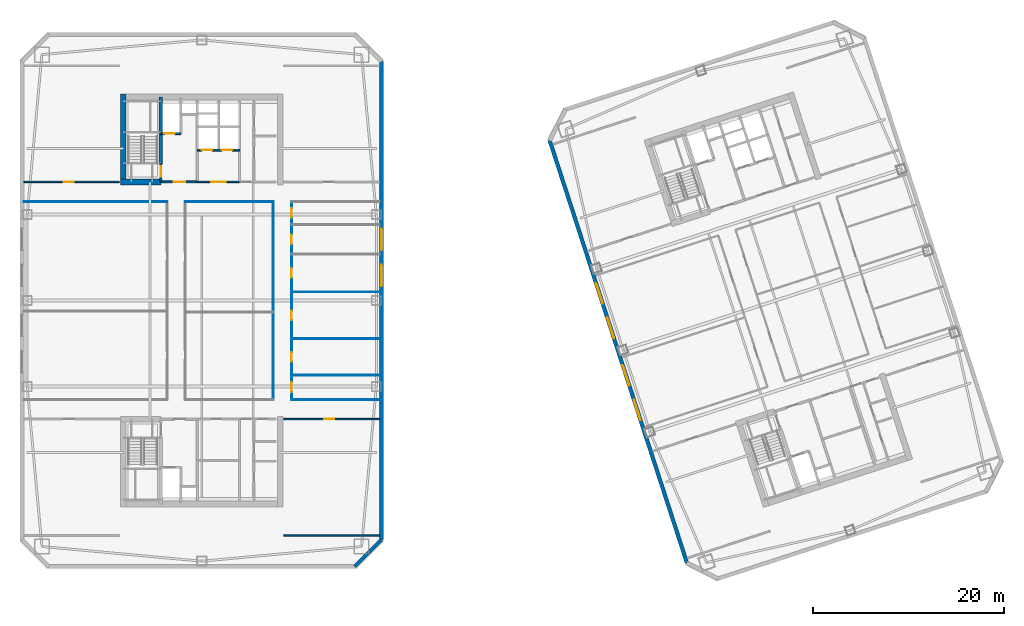
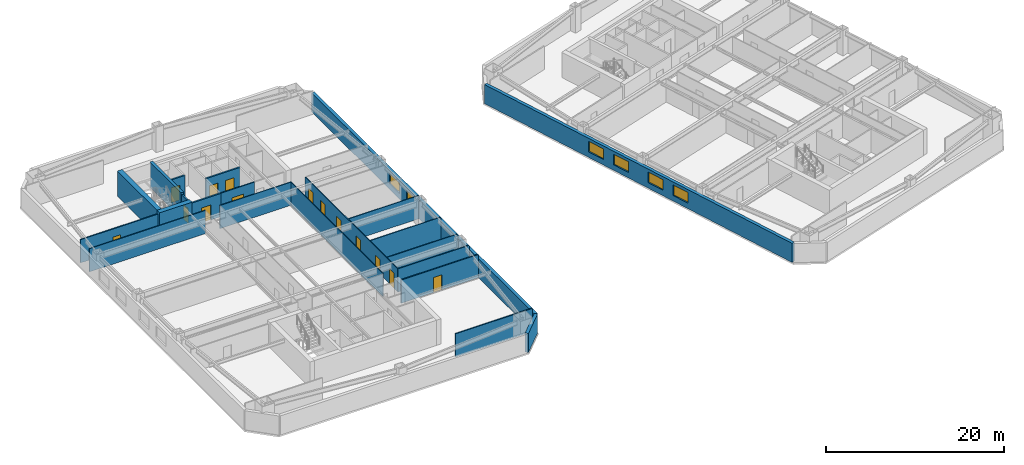
# One storey, part 4 of 10: 22 walls, 14 doors, 6 windows, 20 openings.
"""IFC4 building model written with IfcOpenShell, lengths in metres."""

from ifc_helpers import new_model, si_unit, direction, frame, frame_2d, origin, place, context, subcontext, project, spatial, rectangle, extrude, material, layer, layer_set, type_object, element, fill, save


model = new_model("IFC4")

# Units and contexts
model_context = context("Model", 3, precision=1e-05, world=origin(), true_north=direction((0.0, 1.0)))
body_context = subcontext(model_context, "Body", "Model", "MODEL_VIEW")
ifc_project = project(units=[si_unit("LENGTHUNIT", "METRE"), si_unit("AREAUNIT", "SQUARE_METRE"), si_unit("VOLUMEUNIT", "CUBIC_METRE"), si_unit("PLANEANGLEUNIT", "RADIAN"), si_unit("MASSUNIT", "GRAM", prefix="KILO")], contexts=[model_context])

# Site, building, storey
site_placement = place(None, origin())
site = spatial("IfcSite", under=ifc_project, at=site_placement, CompositionType="ELEMENT")
building_placement = place(site_placement, origin())
building = spatial("IfcBuilding", under=site, at=building_placement, Name="Qiaolan Cultural Towers", CompositionType="ELEMENT")
storey_placement = place(building_placement, frame((0.0, 0.0, 127.64990234375)))
storey = spatial("IfcBuildingStorey", under=building, at=storey_placement, Name="L33", CompositionType="ELEMENT", Elevation=127.64990234375)

# Walls
ifc_material_1 = material(Name="Concrete C50", Category="concrete")
ifc_layer_1 = layer(ifc_material_1, 0.35009765625)
ifc_layer_set_1 = layer_set([ifc_layer_1], Name="Concrete C50")
wall_type_1 = type_object("IfcWallType", Name="WL-CORE-350", PredefinedType="SHEAR", material=ifc_layer_set_1)
wall_1_placement = place(storey_placement, frame((25.719970703125, 48.300048828125, 0.0), z_axis=(0.0, 0.0, 1.0), x_axis=(0.0, 1.0, 0.0)))
element("IfcWall", 1, at=wall_1_placement, inside=storey, type_object=wall_type_1, Name="L33 T1-CN Stair Core Dividing Web", PredefinedType="SHEAR", context=body_context, shape_type="SweptSolid", body=[
    extrude(rectangle(XDim=6.97998046875, YDim=0.35009765625, at=frame_2d((3.489990234375, 0.0))), origin(), (0.0, 0.0, 1.0), 3.4501953125),
])
ifc_material_2 = material(Name="Concrete C55", Category="concrete")
ifc_layer_2 = layer(ifc_material_2, 0.60009765625)
ifc_layer_set_2 = layer_set([ifc_layer_2], Name="Concrete C55")
wall_type_2 = type_object("IfcWallType", Name="WL-CORE-600", PredefinedType="SHEAR", material=ifc_layer_set_2)
wall_2_placement = place(storey_placement, frame((21.800048828125, 46.10009765625, 0.0), z_axis=(0.0, 0.0, 1.0), x_axis=(0.0, 1.0, 0.0)))
element("IfcWall", 2, at=wall_2_placement, inside=storey, type_object=wall_type_2, Name="L33 T1-CN West Core Shear Wall", PredefinedType="SHEAR", context=body_context, shape_type="SweptSolid", body=[
    extrude(rectangle(XDim=9.47998046875, YDim=0.60009765625, at=frame_2d((4.739990234375, 0.0))), origin(), (0.0, 0.0, 1.0), 3.4501953125),
])
wall_3_placement = place(storey_placement, frame((21.5, 46.39990234375, 0.0), z_axis=(0.0, 0.0, 1.0), x_axis=(1.0, 0.0, 0.0)))
element("IfcWall", 3, at=wall_3_placement, inside=storey, type_object=wall_type_2, Name="L33 T1-CN Stair Front Shear Wall", PredefinedType="SHEAR", context=body_context, shape_type="SweptSolid", body=[
    extrude(rectangle(XDim=4.219970703125, YDim=0.60009765625, at=frame_2d((2.10986328125, 0.0))), origin(), (0.0, 0.0, 1.0), 3.4501953125),
])

# Wall, openings, windows
ifc_material_3 = material(Name="Precast Concrete C50 Honed Stone Pier", Category="masonry")
ifc_layer_3 = layer(ifc_material_3, 0.39990234375)
ifc_layer_set_3 = layer_set([ifc_layer_3], Name="Precast Concrete C50 Honed Stone Pier")
wall_type_3 = type_object("IfcWallType", Name="WL-EXT-PIER-400", PredefinedType="SOLIDWALL", material=ifc_layer_set_3)
wall_4_placement = place(storey_placement, frame((48.800048828125, 59.0, 0.0), z_axis=(0.0, 0.0, 1.0), x_axis=(0.0, -1.0, 0.0)))
wall_4 = element("IfcWall", 4, at=wall_4_placement, inside=storey, type_object=wall_type_3, Name="L33 West Tower Precast Pier Facade Wall F5", PredefinedType="SOLIDWALL", context=body_context, shape_type="SweptSolid", body=[
    extrude(rectangle(XDim=50.0, YDim=0.39990234375, at=frame_2d((25.0, 0.0))), origin(), (0.0, 0.0, 1.0), 2.610107421875),
])
opening_1_placement = place(wall_4_placement, frame((21.27490234375, 0.0, 0.75)))
opening_1 = element("IfcOpeningElement", 5, at=opening_1_placement, cuts=wall_4, Name="Opening W-03", PredefinedType="OPENING", context=body_context, shape_type="SweptSolid", body=[
    extrude(rectangle(XDim=2.25, YDim=1.4599609375, at=frame_2d((1.125, 0.72998046875))), frame((0.0, 0.2099609375, 0.0), z_axis=(0.0, -1.0, 0.0), x_axis=(1.0, 0.0, 0.0)), (0.0, 0.0, 1.0), 0.419921875),
])
opening_2_placement = place(wall_4_placement, frame((17.47509765625, 0.0, 0.75)))
opening_2 = element("IfcOpeningElement", 6, at=opening_2_placement, cuts=wall_4, Name="Opening W-03", PredefinedType="OPENING", context=body_context, shape_type="SweptSolid", body=[
    extrude(rectangle(XDim=2.25, YDim=1.4599609375, at=frame_2d((1.125, 0.72998046875))), frame((0.0, 0.2099609375, 0.0), z_axis=(0.0, -1.0, 0.0), x_axis=(1.0, 0.0, 0.0)), (0.0, 0.0, 1.0), 0.419921875),
])
ifc_material_4 = material(Name="Thermally Broken Aluminium Triple Low-E Glazing", Category="aluminium")
window_type = type_object("IfcWindowType", Name="WN-CHIC-2250", PartitioningType="SINGLE_PANEL", PredefinedType="WINDOW", material=ifc_material_4)
window_1_placement = place(opening_1_placement, origin())
window_1 = element("IfcWindow", 7, at=window_1_placement, inside=storey, type_object=window_type, Name="L33 T1 E Chicago Bay Window 1", OverallHeight=1.4599609375, OverallWidth=2.25, PartitioningType="TRIPLE_PANEL_VERTICAL", PredefinedType="WINDOW", context=body_context, shape_type="SweptSolid", body=[
    extrude(rectangle(XDim=2.25, YDim=1.4599609375, at=frame_2d((1.125, 0.72998046875))), frame((0.0, 0.030029296875, 0.0), z_axis=(0.0, -1.0, 0.0), x_axis=(1.0, 0.0, 0.0)), (0.0, 0.0, 1.0), 0.06005859375),
])
fill(opening_1, window_1)
window_2_placement = place(opening_2_placement, origin())
window_2 = element("IfcWindow", 8, at=window_2_placement, inside=storey, type_object=window_type, Name="L33 T1 E Chicago Bay Window 2", OverallHeight=1.4599609375, OverallWidth=2.25, PartitioningType="TRIPLE_PANEL_VERTICAL", PredefinedType="WINDOW", context=body_context, shape_type="SweptSolid", body=[
    extrude(rectangle(XDim=2.25, YDim=1.4599609375, at=frame_2d((1.125, 0.72998046875))), frame((0.0, 0.030029296875, 0.0), z_axis=(0.0, -1.0, 0.0), x_axis=(1.0, 0.0, 0.0)), (0.0, 0.0, 1.0), 0.06005859375),
])
fill(opening_2, window_2)

# Wall
wall_5_placement = place(storey_placement, frame((48.800048828125, 9.0, 0.0), z_axis=(0.0, 0.0, 1.0), x_axis=(-0.707106781187, -0.707106781187, 0.0)))
element("IfcWall", 9, at=wall_5_placement, inside=storey, type_object=wall_type_3, Name="L33 West Tower Precast Pier Facade Wall F6", PredefinedType="SOLIDWALL", context=body_context, shape_type="SweptSolid", body=[
    extrude(rectangle(XDim=3.9599609375, YDim=0.39990234375, at=frame_2d((1.97998046875, 0.0))), origin(), (0.0, 0.0, 1.0), 2.610107421875),
])

# Wall, openings, windows
wall_6_placement = place(storey_placement, frame((80.7158203125, 6.589599609375, 0.0), z_axis=(0.0, 0.0, 1.0), x_axis=(-0.309017542002, 0.95105633836, 0.0)))
wall_6 = element("IfcWall", 10, at=wall_6_placement, inside=storey, type_object=wall_type_3, Name="L33 East Tower Precast Pier Facade Wall F1", PredefinedType="SOLIDWALL", context=body_context, shape_type="SweptSolid", body=[
    extrude(rectangle(XDim=46.39990234375, YDim=0.39990234375, at=frame_2d((23.199951171875, 0.0))), origin(), (0.0, 0.0, 1.0), 2.610107421875),
])
opening_3_placement = place(wall_6_placement, frame((15.675048828125, 0.0, 0.75)))
opening_3 = element("IfcOpeningElement", 11, at=opening_3_placement, cuts=wall_6, Name="Opening W-03", PredefinedType="OPENING", context=body_context, shape_type="SweptSolid", body=[
    extrude(rectangle(XDim=2.25, YDim=1.4599609375, at=frame_2d((1.125, 0.72998046875))), frame((0.0, 0.2099609375, 0.0), z_axis=(0.0, -1.0, 0.0), x_axis=(1.0, 0.0, 0.0)), (0.0, 0.0, 1.0), 0.419921875),
])
opening_4_placement = place(wall_6_placement, frame((19.47509765625, 0.0, 0.75)))
opening_4 = element("IfcOpeningElement", 12, at=opening_4_placement, cuts=wall_6, Name="Opening W-03", PredefinedType="OPENING", context=body_context, shape_type="SweptSolid", body=[
    extrude(rectangle(XDim=2.25, YDim=1.4599609375, at=frame_2d((1.125, 0.72998046875))), frame((0.0, 0.2099609375, 0.0), z_axis=(0.0, -1.0, 0.0), x_axis=(1.0, 0.0, 0.0)), (0.0, 0.0, 1.0), 0.419921875),
])
opening_5_placement = place(wall_6_placement, frame((24.675048828125, 0.0, 0.75)))
opening_5 = element("IfcOpeningElement", 13, at=opening_5_placement, cuts=wall_6, Name="Opening W-03", PredefinedType="OPENING", context=body_context, shape_type="SweptSolid", body=[
    extrude(rectangle(XDim=2.25, YDim=1.4599609375, at=frame_2d((1.125, 0.72998046875))), frame((0.0, 0.2099609375, 0.0), z_axis=(0.0, -1.0, 0.0), x_axis=(1.0, 0.0, 0.0)), (0.0, 0.0, 1.0), 0.419921875),
])
opening_6_placement = place(wall_6_placement, frame((28.47509765625, 0.0, 0.75)))
opening_6 = element("IfcOpeningElement", 14, at=opening_6_placement, cuts=wall_6, Name="Opening W-03", PredefinedType="OPENING", context=body_context, shape_type="SweptSolid", body=[
    extrude(rectangle(XDim=2.25, YDim=1.4599609375, at=frame_2d((1.125, 0.72998046875))), frame((0.0, 0.2099609375, 0.0), z_axis=(0.0, -1.0, 0.0), x_axis=(1.0, 0.0, 0.0)), (0.0, 0.0, 1.0), 0.419921875),
])
window_3_placement = place(opening_3_placement, origin())
window_3 = element("IfcWindow", 15, at=window_3_placement, inside=storey, type_object=window_type, Name="L33 T2 W Chicago Bay Window 1", OverallHeight=1.4599609375, OverallWidth=2.25, PartitioningType="TRIPLE_PANEL_VERTICAL", PredefinedType="WINDOW", context=body_context, shape_type="SweptSolid", body=[
    extrude(rectangle(XDim=2.25, YDim=1.4599609375, at=frame_2d((1.125, 0.72998046875))), frame((0.0, 0.030029296875, 0.0), z_axis=(0.0, -1.0, 0.0), x_axis=(1.0, 0.0, 0.0)), (0.0, 0.0, 1.0), 0.06005859375),
])
fill(opening_3, window_3)
window_4_placement = place(opening_4_placement, origin())
window_4 = element("IfcWindow", 16, at=window_4_placement, inside=storey, type_object=window_type, Name="L33 T2 W Chicago Bay Window 2", OverallHeight=1.4599609375, OverallWidth=2.25, PartitioningType="TRIPLE_PANEL_VERTICAL", PredefinedType="WINDOW", context=body_context, shape_type="SweptSolid", body=[
    extrude(rectangle(XDim=2.25, YDim=1.4599609375, at=frame_2d((1.125, 0.72998046875))), frame((0.0, 0.030029296875, 0.0), z_axis=(0.0, -1.0, 0.0), x_axis=(1.0, 0.0, 0.0)), (0.0, 0.0, 1.0), 0.06005859375),
])
fill(opening_4, window_4)
window_5_placement = place(opening_5_placement, origin())
window_5 = element("IfcWindow", 17, at=window_5_placement, inside=storey, type_object=window_type, Name="L33 T2 W Chicago Bay Window 3", OverallHeight=1.4599609375, OverallWidth=2.25, PartitioningType="TRIPLE_PANEL_VERTICAL", PredefinedType="WINDOW", context=body_context, shape_type="SweptSolid", body=[
    extrude(rectangle(XDim=2.25, YDim=1.4599609375, at=frame_2d((1.125, 0.72998046875))), frame((0.0, 0.030029296875, 0.0), z_axis=(0.0, -1.0, 0.0), x_axis=(1.0, 0.0, 0.0)), (0.0, 0.0, 1.0), 0.06005859375),
])
fill(opening_5, window_5)
window_6_placement = place(opening_6_placement, origin())
window_6 = element("IfcWindow", 18, at=window_6_placement, inside=storey, type_object=window_type, Name="L33 T2 W Chicago Bay Window 4", OverallHeight=1.4599609375, OverallWidth=2.25, PartitioningType="TRIPLE_PANEL_VERTICAL", PredefinedType="WINDOW", context=body_context, shape_type="SweptSolid", body=[
    extrude(rectangle(XDim=2.25, YDim=1.4599609375, at=frame_2d((1.125, 0.72998046875))), frame((0.0, 0.030029296875, 0.0), z_axis=(0.0, -1.0, 0.0), x_axis=(1.0, 0.0, 0.0)), (0.0, 0.0, 1.0), 0.06005859375),
])
fill(opening_6, window_6)

# Wall, opening, door
ifc_material_5 = material(Name="Concrete C35 Fire Wall", Category="concrete")
ifc_layer_4 = layer(ifc_material_5, 0.199951171875)
ifc_layer_set_4 = layer_set([ifc_layer_4], Name="Concrete C35 Fire Wall")
wall_type_4 = type_object("IfcWallType", Name="WL-FIRE-200", PredefinedType="PARTITIONING", material=ifc_layer_set_4)
wall_7_placement = place(storey_placement, frame((25.719970703125, 46.39990234375, 0.0), z_axis=(0.0, 0.0, 1.0), x_axis=(0.0, 1.0, 0.0)))
wall_7 = element("IfcWall", 19, at=wall_7_placement, inside=storey, type_object=wall_type_4, Name="L33 T1-CN Smokeproof Stair Entry Wall", PredefinedType="PARTITIONING", context=body_context, shape_type="SweptSolid", body=[
    extrude(rectangle(XDim=1.900146484375, YDim=0.199951171875, at=frame_2d((0.9501953125, 0.0))), origin(), (0.0, 0.0, 1.0), 3.175048828125),
])
opening_7_placement = place(wall_7_placement, frame((0.52001953125, 0.0, 0.0)))
opening_7 = element("IfcOpeningElement", 20, at=opening_7_placement, cuts=wall_7, Name="Opening FD-04", PredefinedType="OPENING", context=body_context, shape_type="SweptSolid", body=[
    extrude(rectangle(XDim=1.10009765625, YDim=2.050048828125, at=frame_2d((0.550048828125, 1.02490234375))), frame((0.0, 0.10986328125, 0.0), z_axis=(0.0, -1.0, 0.0), x_axis=(1.0, 0.0, 0.0)), (0.0, 0.0, 1.0), 0.219970703125),
])
ifc_material_6 = material(Name="Galvanized Steel Command Fire Door", Category="steel")
door_type_1 = type_object("IfcDoorType", Name="DR-FD90-1100", OperationType="NOTDEFINED", PredefinedType="DOOR", material=ifc_material_6)
door_1_placement = place(opening_7_placement, origin())
door_1 = element("IfcDoor", 21, at=door_1_placement, inside=storey, type_object=door_type_1, Name="L33 ST-W2 Smokeproof Stair Fire Door", OperationType="SINGLE_SWING_LEFT", OverallHeight=2.050048828125, OverallWidth=1.10009765625, PredefinedType="DOOR", context=body_context, shape_type="SweptSolid", body=[
    extrude(rectangle(XDim=1.10009765625, YDim=2.050048828125, at=frame_2d((0.550048828125, 1.02490234375))), frame((0.0, 0.02490234375, 0.0), z_axis=(0.0, -1.0, 0.0), x_axis=(1.0, 0.0, 0.0)), (0.0, 0.0, 1.0), 0.050048828125),
])
fill(opening_7, door_1)

wall_8_placement = place(storey_placement, frame((25.719970703125, 46.39990234375, 0.0), z_axis=(0.0, 0.0, 1.0), x_axis=(1.0, 0.0, 0.0)))
wall_8 = element("IfcWall", 22, at=wall_8_placement, inside=storey, type_object=wall_type_4, Name="L33 T1-CN Firefighting Lobby Front Wall", PredefinedType="PARTITIONING", context=body_context, shape_type="SweptSolid", body=[
    extrude(rectangle(XDim=3.830078125, YDim=0.199951171875, at=frame_2d((1.9150390625, 0.0))), origin(), (0.0, 0.0, 1.0), 3.175048828125),
])
opening_8_placement = place(wall_8_placement, frame((1.35009765625, 0.0, 0.0)))
opening_8 = element("IfcOpeningElement", 23, at=opening_8_placement, cuts=wall_8, Name="Opening FD-03", PredefinedType="OPENING", context=body_context, shape_type="SweptSolid", body=[
    extrude(rectangle(XDim=1.199951171875, YDim=2.050048828125, at=frame_2d((0.60009765625, 1.02490234375))), frame((0.0, 0.10986328125, 0.0), z_axis=(0.0, -1.0, 0.0), x_axis=(1.0, 0.0, 0.0)), (0.0, 0.0, 1.0), 0.219970703125),
])
ifc_material_7 = material(Name="Galvanized Steel Smokeproof Lobby Fire Door", Category="steel")
door_type_2 = type_object("IfcDoorType", Name="DR-FD90-1200", OperationType="NOTDEFINED", PredefinedType="DOOR", material=ifc_material_7)
door_2_placement = place(opening_8_placement, origin())
door_2 = element("IfcDoor", 24, at=door_2_placement, inside=storey, type_object=door_type_2, Name="L33 FFL-W2 Firefighting Lobby Fire Door", OperationType="SINGLE_SWING_LEFT", OverallHeight=2.050048828125, OverallWidth=1.199951171875, PredefinedType="DOOR", context=body_context, shape_type="SweptSolid", body=[
    extrude(rectangle(XDim=1.199951171875, YDim=2.050048828125, at=frame_2d((0.60009765625, 1.02490234375))), frame((0.0, 0.02490234375, 0.0), z_axis=(0.0, -1.0, 0.0), x_axis=(1.0, 0.0, 0.0)), (0.0, 0.0, 1.0), 0.050048828125),
])
fill(opening_8, door_2)

wall_9_placement = place(storey_placement, frame((25.719970703125, 51.449951171875, 0.0), z_axis=(0.0, 0.0, 1.0), x_axis=(1.0, 0.0, 0.0)))
wall_9 = element("IfcWall", 25, at=wall_9_placement, inside=storey, type_object=wall_type_4, Name="L33 T1-CN Firefighting Shaft Front Wall", PredefinedType="PARTITIONING", context=body_context, shape_type="SweptSolid", body=[
    extrude(rectangle(XDim=2.10009765625, YDim=0.199951171875, at=frame_2d((1.050048828125, 0.0))), origin(), (0.0, 0.0, 1.0), 3.175048828125),
])
opening_9_placement = place(wall_9_placement, frame((0.35009765625, 0.0, 0.0)))
opening_9 = element("IfcOpeningElement", 26, at=opening_9_placement, cuts=wall_9, Name="Opening LD-01", PredefinedType="OPENING", context=body_context, shape_type="SweptSolid", body=[
    extrude(rectangle(XDim=1.10009765625, YDim=2.050048828125, at=frame_2d((0.550048828125, 1.02490234375))), frame((0.0, 0.10986328125, 0.0), z_axis=(0.0, -1.0, 0.0), x_axis=(1.0, 0.0, 0.0)), (0.0, 0.0, 1.0), 0.219970703125),
])
ifc_material_8 = material(Name="Brushed Stainless Steel S30408 Centre-Parting Lift Landing Door", Category="steel")
door_type_3 = type_object("IfcDoorType", Name="DR-LIFT-1100", OperationType="NOTDEFINED", PredefinedType="DOOR", material=ifc_material_8)
door_3_placement = place(opening_9_placement, origin())
door_3 = element("IfcDoor", 27, at=door_3_placement, inside=storey, type_object=door_type_3, Name="L33 FFL-W2 Firefighting Lift Landing Door", OperationType="DOUBLE_DOOR_SLIDING", OverallHeight=2.050048828125, OverallWidth=1.10009765625, PredefinedType="DOOR", context=body_context, shape_type="SweptSolid", body=[
    extrude(rectangle(XDim=1.10009765625, YDim=2.050048828125, at=frame_2d((0.550048828125, 1.02490234375))), frame((0.0, 0.02490234375, 0.0), z_axis=(0.0, -1.0, 0.0), x_axis=(1.0, 0.0, 0.0)), (0.0, 0.0, 1.0), 0.050048828125),
])
fill(opening_9, door_3)

# Wall, openings, doors
wall_10_placement = place(storey_placement, frame((29.550048828125, 49.719970703125, 0.0), z_axis=(0.0, 0.0, 1.0), x_axis=(1.0, 0.0, 0.0)))
wall_10 = element("IfcWall", 28, at=wall_10_placement, inside=storey, type_object=wall_type_4, Name="L33 T1-CN Passenger Lift Shaft Front Wall", PredefinedType="PARTITIONING", context=body_context, shape_type="SweptSolid", body=[
    extrude(rectangle(XDim=4.39990234375, YDim=0.199951171875, at=frame_2d((2.199951171875, 0.0))), origin(), (0.0, 0.0, 1.0), 3.175048828125),
])
opening_10_placement = place(wall_10_placement, frame((0.449951171875, 0.0, 0.0)))
opening_10 = element("IfcOpeningElement", 29, at=opening_10_placement, cuts=wall_10, Name="Opening LD-01", PredefinedType="OPENING", context=body_context, shape_type="SweptSolid", body=[
    extrude(rectangle(XDim=1.10009765625, YDim=2.050048828125, at=frame_2d((0.550048828125, 1.02490234375))), frame((0.0, 0.10986328125, 0.0), z_axis=(0.0, -1.0, 0.0), x_axis=(1.0, 0.0, 0.0)), (0.0, 0.0, 1.0), 0.219970703125),
])
opening_11_placement = place(wall_10_placement, frame((2.550048828125, 0.0, 0.0)))
opening_11 = element("IfcOpeningElement", 30, at=opening_11_placement, cuts=wall_10, Name="Opening LD-01", PredefinedType="OPENING", context=body_context, shape_type="SweptSolid", body=[
    extrude(rectangle(XDim=1.10009765625, YDim=2.050048828125, at=frame_2d((0.550048828125, 1.02490234375))), frame((0.0, 0.10986328125, 0.0), z_axis=(0.0, -1.0, 0.0), x_axis=(1.0, 0.0, 0.0)), (0.0, 0.0, 1.0), 0.219970703125),
])
door_4_placement = place(opening_10_placement, origin())
door_4 = element("IfcDoor", 31, at=door_4_placement, inside=storey, type_object=door_type_3, Name="L33 Passenger Lift 1 Landing Door", OperationType="DOUBLE_DOOR_SLIDING", OverallHeight=2.050048828125, OverallWidth=1.10009765625, PredefinedType="DOOR", context=body_context, shape_type="SweptSolid", body=[
    extrude(rectangle(XDim=1.10009765625, YDim=2.050048828125, at=frame_2d((0.550048828125, 1.02490234375))), frame((0.0, 0.02490234375, 0.0), z_axis=(0.0, -1.0, 0.0), x_axis=(1.0, 0.0, 0.0)), (0.0, 0.0, 1.0), 0.050048828125),
])
fill(opening_10, door_4)
door_5_placement = place(opening_11_placement, origin())
door_5 = element("IfcDoor", 32, at=door_5_placement, inside=storey, type_object=door_type_3, Name="L33 Passenger Lift 2 Landing Door", OperationType="DOUBLE_DOOR_SLIDING", OverallHeight=2.050048828125, OverallWidth=1.10009765625, PredefinedType="DOOR", context=body_context, shape_type="SweptSolid", body=[
    extrude(rectangle(XDim=1.10009765625, YDim=2.050048828125, at=frame_2d((0.550048828125, 1.02490234375))), frame((0.0, 0.02490234375, 0.0), z_axis=(0.0, -1.0, 0.0), x_axis=(1.0, 0.0, 0.0)), (0.0, 0.0, 1.0), 0.050048828125),
])
fill(opening_11, door_5)

# Walls
ifc_material_9 = material(Name="Acoustic Double-Glazed Partition Frame", Category="glass")
ifc_layer_5 = layer(ifc_material_9, 0.10009765625)
ifc_layer_set_5 = layer_set([ifc_layer_5], Name="Acoustic Double-Glazed Partition Frame")
wall_type_5 = type_object("IfcWallType", Name="WL-GLAZED-100", PredefinedType="MOVABLE", material=ifc_layer_set_5)
wall_11_placement = place(storey_placement, frame((39.39990234375, 23.64990234375, 0.0), z_axis=(0.0, 0.0, 1.0), x_axis=(1.0, 0.0, 0.0)))
element("IfcWall", 33, at=wall_11_placement, inside=storey, type_object=wall_type_5, Name="L33 T1 Interior Wall", PredefinedType="MOVABLE", context=body_context, shape_type="SweptSolid", body=[
    extrude(rectangle(XDim=9.2001953125, YDim=0.10009765625, at=frame_2d((4.60009765625, 0.0))), origin(), (0.0, 0.0, 1.0), 3.175048828125),
])
wall_12_placement = place(storey_placement, frame((11.39990234375, 44.35009765625, 0.0), z_axis=(0.0, 0.0, 1.0), x_axis=(1.0, 0.0, 0.0)))
element("IfcWall", 34, at=wall_12_placement, inside=storey, type_object=wall_type_5, Name="L33 T1 Interior Wall", PredefinedType="MOVABLE", context=body_context, shape_type="SweptSolid", body=[
    extrude(rectangle(XDim=15.0, YDim=0.10009765625, at=frame_2d((7.5, 0.0))), origin(), (0.0, 0.0, 1.0), 3.175048828125),
])
wall_13_placement = place(storey_placement, frame((28.300048828125, 44.35009765625, 0.0), z_axis=(0.0, 0.0, 1.0), x_axis=(1.0, 0.0, 0.0)))
element("IfcWall", 35, at=wall_13_placement, inside=storey, type_object=wall_type_5, Name="L33 T1 Interior Wall", PredefinedType="MOVABLE", context=body_context, shape_type="SweptSolid", body=[
    extrude(rectangle(XDim=9.199951171875, YDim=0.10009765625, at=frame_2d((4.60009765625, 0.0))), origin(), (0.0, 0.0, 1.0), 3.175048828125),
])
wall_14_placement = place(storey_placement, frame((37.5, 23.64990234375, 0.0), z_axis=(0.0, 0.0, 1.0), x_axis=(0.0, 1.0, 0.0)))
element("IfcWall", 36, at=wall_14_placement, inside=storey, type_object=wall_type_5, Name="L33 T1 Interior Wall", PredefinedType="MOVABLE", context=body_context, shape_type="SweptSolid", body=[
    extrude(rectangle(XDim=20.7001953125, YDim=0.10009765625, at=frame_2d((10.35009765625, 0.0))), origin(), (0.0, 0.0, 1.0), 3.175048828125),
])

# Wall, openings, doors
wall_15_placement = place(storey_placement, frame((39.39990234375, 23.64990234375, 0.0), z_axis=(0.0, 0.0, 1.0), x_axis=(0.0, 1.0, 0.0)))
wall_15 = element("IfcWall", 37, at=wall_15_placement, inside=storey, type_object=wall_type_5, Name="L33 T1 Interior Wall", PredefinedType="MOVABLE", context=body_context, shape_type="SweptSolid", body=[
    extrude(rectangle(XDim=20.7001953125, YDim=0.10009765625, at=frame_2d((10.35009765625, 0.0))), origin(), (0.0, 0.0, 1.0), 3.175048828125),
])
opening_12_placement = place(wall_15_placement, frame((0.77490234375, 0.0, 0.0)))
opening_12 = element("IfcOpeningElement", 38, at=opening_12_placement, cuts=wall_15, Name="Opening ID-07", PredefinedType="OPENING", context=body_context, shape_type="SweptSolid", body=[
    extrude(rectangle(XDim=1.050048828125, YDim=2.050048828125, at=frame_2d((0.52490234375, 1.02490234375))), frame((0.0, 0.06005859375, 0.0), z_axis=(0.0, -1.0, 0.0), x_axis=(1.0, 0.0, 0.0)), (0.0, 0.0, 1.0), 0.1201171875),
])
opening_13_placement = place(wall_15_placement, frame((3.949951171875, 0.0, 0.0)))
opening_13 = element("IfcOpeningElement", 39, at=opening_13_placement, cuts=wall_15, Name="Opening ID-04", PredefinedType="OPENING", context=body_context, shape_type="SweptSolid", body=[
    extrude(rectangle(XDim=1.0, YDim=2.050048828125, at=frame_2d((0.5, 1.02490234375))), frame((0.0, 0.06005859375, 0.0), z_axis=(0.0, -1.0, 0.0), x_axis=(1.0, 0.0, 0.0)), (0.0, 0.0, 1.0), 0.1201171875),
])
opening_14_placement = place(wall_15_placement, frame((8.298095703125, 0.0, 0.0)))
opening_14 = element("IfcOpeningElement", 40, at=opening_14_placement, cuts=wall_15, Name="Opening ID-04", PredefinedType="OPENING", context=body_context, shape_type="SweptSolid", body=[
    extrude(rectangle(XDim=1.0, YDim=2.050048828125, at=frame_2d((0.5, 1.02490234375))), frame((0.0, 0.06005859375, 0.0), z_axis=(0.0, -1.0, 0.0), x_axis=(1.0, 0.0, 0.0)), (0.0, 0.0, 1.0), 0.1201171875),
])
opening_15_placement = place(wall_15_placement, frame((12.71240234375, 0.0, 0.0)))
opening_15 = element("IfcOpeningElement", 41, at=opening_15_placement, cuts=wall_15, Name="Opening ID-04", PredefinedType="OPENING", context=body_context, shape_type="SweptSolid", body=[
    extrude(rectangle(XDim=1.0, YDim=2.050048828125, at=frame_2d((0.5, 1.02490234375))), frame((0.0, 0.06005859375, 0.0), z_axis=(0.0, -1.0, 0.0), x_axis=(1.0, 0.0, 0.0)), (0.0, 0.0, 1.0), 0.1201171875),
])
opening_16_placement = place(wall_15_placement, frame((16.2314453125, 0.0, 0.0)))
opening_16 = element("IfcOpeningElement", 42, at=opening_16_placement, cuts=wall_15, Name="Opening ID-04", PredefinedType="OPENING", context=body_context, shape_type="SweptSolid", body=[
    extrude(rectangle(XDim=1.0, YDim=2.050048828125, at=frame_2d((0.5, 1.02490234375))), frame((0.0, 0.06005859375, 0.0), z_axis=(0.0, -1.0, 0.0), x_axis=(1.0, 0.0, 0.0)), (0.0, 0.0, 1.0), 0.1201171875),
])
opening_17_placement = place(wall_15_placement, frame((18.991943359375, 0.0, 0.0)))
opening_17 = element("IfcOpeningElement", 43, at=opening_17_placement, cuts=wall_15, Name="Opening ID-04", PredefinedType="OPENING", context=body_context, shape_type="SweptSolid", body=[
    extrude(rectangle(XDim=1.0, YDim=2.050048828125, at=frame_2d((0.5, 1.02490234375))), frame((0.0, 0.06005859375, 0.0), z_axis=(0.0, -1.0, 0.0), x_axis=(1.0, 0.0, 0.0)), (0.0, 0.0, 1.0), 0.1201171875),
])
ifc_material_10 = material(Name="Oak Veneer Acoustic Office Door", Category="timber")
door_type_4 = type_object("IfcDoorType", Name="DR-INT-1000", OperationType="NOTDEFINED", PredefinedType="DOOR", material=ifc_material_10)
door_6_placement = place(opening_13_placement, origin())
door_6 = element("IfcDoor", 44, at=door_6_placement, inside=storey, type_object=door_type_4, Name="L33 T1 Staff Dining Kitchen Door", OperationType="SINGLE_SWING_LEFT", OverallHeight=2.050048828125, OverallWidth=1.0, PredefinedType="DOOR", context=body_context, shape_type="SweptSolid", body=[
    extrude(rectangle(XDim=1.0, YDim=2.050048828125, at=frame_2d((0.5, 1.02490234375))), frame((0.0, 0.02490234375, 0.0), z_axis=(0.0, -1.0, 0.0), x_axis=(1.0, 0.0, 0.0)), (0.0, 0.0, 1.0), 0.050048828125),
])
fill(opening_13, door_6)
door_7_placement = place(opening_14_placement, origin())
door_7 = element("IfcDoor", 45, at=door_7_placement, inside=storey, type_object=door_type_4, Name="L33 T1 Staff Dining Kitchen Door", OperationType="SINGLE_SWING_RIGHT", OverallHeight=2.050048828125, OverallWidth=1.0, PredefinedType="DOOR", context=body_context, shape_type="SweptSolid", body=[
    extrude(rectangle(XDim=1.0, YDim=2.050048828125, at=frame_2d((0.5, 1.02490234375))), frame((0.0, 0.02490234375, 0.0), z_axis=(0.0, -1.0, 0.0), x_axis=(1.0, 0.0, 0.0)), (0.0, 0.0, 1.0), 0.050048828125),
])
fill(opening_14, door_7)
door_8_placement = place(opening_15_placement, origin())
door_8 = element("IfcDoor", 46, at=door_8_placement, inside=storey, type_object=door_type_4, Name="L33 T1 Recreation Lounge Door", OperationType="SINGLE_SWING_LEFT", OverallHeight=2.050048828125, OverallWidth=1.0, PredefinedType="DOOR", context=body_context, shape_type="SweptSolid", body=[
    extrude(rectangle(XDim=1.0, YDim=2.050048828125, at=frame_2d((0.5, 1.02490234375))), frame((0.0, 0.02490234375, 0.0), z_axis=(0.0, -1.0, 0.0), x_axis=(1.0, 0.0, 0.0)), (0.0, 0.0, 1.0), 0.050048828125),
])
fill(opening_15, door_8)
door_9_placement = place(opening_16_placement, origin())
door_9 = element("IfcDoor", 47, at=door_9_placement, inside=storey, type_object=door_type_4, Name="L33 T1 Staff Dining Kitchen Door", OperationType="SINGLE_SWING_RIGHT", OverallHeight=2.050048828125, OverallWidth=1.0, PredefinedType="DOOR", context=body_context, shape_type="SweptSolid", body=[
    extrude(rectangle(XDim=1.0, YDim=2.050048828125, at=frame_2d((0.5, 1.02490234375))), frame((0.0, 0.02490234375, 0.0), z_axis=(0.0, -1.0, 0.0), x_axis=(1.0, 0.0, 0.0)), (0.0, 0.0, 1.0), 0.050048828125),
])
fill(opening_16, door_9)
door_10_placement = place(opening_17_placement, origin())
door_10 = element("IfcDoor", 48, at=door_10_placement, inside=storey, type_object=door_type_4, Name="L33 T1 Staff Dining Kitchen Door", OperationType="SINGLE_SWING_LEFT", OverallHeight=2.050048828125, OverallWidth=1.0, PredefinedType="DOOR", context=body_context, shape_type="SweptSolid", body=[
    extrude(rectangle(XDim=1.0, YDim=2.050048828125, at=frame_2d((0.5, 1.02490234375))), frame((0.0, 0.02490234375, 0.0), z_axis=(0.0, -1.0, 0.0), x_axis=(1.0, 0.0, 0.0)), (0.0, 0.0, 1.0), 0.050048828125),
])
fill(opening_17, door_10)
ifc_material_11 = material(Name="Oak Veneer Consultation Door", Category="timber")
door_type_5 = type_object("IfcDoorType", Name="DR-INT-1050", OperationType="NOTDEFINED", PredefinedType="DOOR", material=ifc_material_11)
door_11_placement = place(opening_12_placement, origin())
door_11 = element("IfcDoor", 49, at=door_11_placement, inside=storey, type_object=door_type_5, Name="L33 T1 Staff Dining Kitchen Door", OperationType="SINGLE_SWING_RIGHT", OverallHeight=2.050048828125, OverallWidth=1.050048828125, PredefinedType="DOOR", context=body_context, shape_type="SweptSolid", body=[
    extrude(rectangle(XDim=1.050048828125, YDim=2.050048828125, at=frame_2d((0.52490234375, 1.02490234375))), frame((0.0, 0.02490234375, 0.0), z_axis=(0.0, -1.0, 0.0), x_axis=(1.0, 0.0, 0.0)), (0.0, 0.0, 1.0), 0.050048828125),
])
fill(opening_12, door_11)

# Walls
for number, where, z_axis, x_axis, name in (
    (50, (39.39990234375, 26.199951171875, 0.0), (0.0, 0.0, 1.0), (1.0, 0.0, 0.0), "L33 T1 Interior Wall"),
    (51, (39.39990234375, 30.0, 0.0), (0.0, 0.0, 1.0), (1.0, 0.0, 0.0), "L33 T1 Interior Wall"),
    (52, (39.39990234375, 34.89599609375, 0.0), (0.0, 0.0, 1.0), (1.0, 0.0, 0.0), "L33 T1 Interior Wall"),
):
    element("IfcWall", number, at=place(storey_placement, frame(where, z_axis=z_axis, x_axis=x_axis)), inside=storey, type_object=wall_type_5, Name=name, PredefinedType="MOVABLE", context=body_context, shape_type="SweptSolid", body=[
        extrude(rectangle(XDim=9.2001953125, YDim=0.10009765625, at=frame_2d((4.60009765625, 0.0))), origin(), (0.0, 0.0, 1.0), 3.175048828125),
    ])

# Wall, opening, door
ifc_material_12 = material(Name="Autoclaved Aerated Concrete Block B06", Category="concrete")
ifc_layer_6 = layer(ifc_material_12, 0.14990234375)
ifc_layer_set_6 = layer_set([ifc_layer_6], Name="Autoclaved Aerated Concrete Block B06")
wall_type_6 = type_object("IfcWallType", Name="WL-PART-150", PredefinedType="PARTITIONING", material=ifc_layer_set_6)
wall_16_placement = place(storey_placement, frame((29.550048828125, 46.39990234375, 0.0), z_axis=(0.0, 0.0, 1.0), x_axis=(1.0, 0.0, 0.0)))
wall_16 = element("IfcWall", 53, at=wall_16_placement, inside=storey, type_object=wall_type_6, Name="L33 T1-CN Passenger Lift Lobby Front Wall", PredefinedType="PARTITIONING", context=body_context, shape_type="SweptSolid", body=[
    extrude(rectangle(XDim=4.39990234375, YDim=0.14990234375, at=frame_2d((2.199951171875, 0.0))), origin(), (0.0, 0.0, 1.0), 3.175048828125),
])
opening_18_placement = place(wall_16_placement, frame((1.449951171875, 0.0, 0.0)))
opening_18 = element("IfcOpeningElement", 54, at=opening_18_placement, cuts=wall_16, Name="Opening FD-05", PredefinedType="OPENING", context=body_context, shape_type="SweptSolid", body=[
    extrude(rectangle(XDim=1.5, YDim=2.050048828125, at=frame_2d((0.75, 1.02490234375))), frame((0.0, 0.0849609375, 0.0), z_axis=(0.0, -1.0, 0.0), x_axis=(1.0, 0.0, 0.0)), (0.0, 0.0, 1.0), 0.169921875),
])
ifc_material_13 = material(Name="Painted Steel Lift Lobby Fire Door", Category="steel")
door_type_6 = type_object("IfcDoorType", Name="DR-FD60-1500", OperationType="NOTDEFINED", PredefinedType="DOOR", material=ifc_material_13)
door_12_placement = place(opening_18_placement, origin())
door_12 = element("IfcDoor", 55, at=door_12_placement, inside=storey, type_object=door_type_6, Name="L33 Passenger Lift Lobby Entrance", OperationType="SINGLE_SWING_LEFT", OverallHeight=2.050048828125, OverallWidth=1.5, PredefinedType="DOOR", context=body_context, shape_type="SweptSolid", body=[
    extrude(rectangle(XDim=1.5, YDim=2.050048828125, at=frame_2d((0.75, 1.02490234375))), frame((0.0, 0.02490234375, 0.0), z_axis=(0.0, -1.0, 0.0), x_axis=(1.0, 0.0, 0.0)), (0.0, 0.0, 1.0), 0.050048828125),
])
fill(opening_18, door_12)

# Wall
wall_17_placement = place(storey_placement, frame((38.60009765625, 9.449951171875, 0.0), z_axis=(0.0, 0.0, 1.0), x_axis=(1.0, 0.0, 0.0)))
element("IfcWall", 56, at=wall_17_placement, inside=storey, type_object=wall_type_6, Name="L33 T1 Flank Wall FLK-SE", PredefinedType="PARTITIONING", context=body_context, shape_type="SweptSolid", body=[
    extrude(rectangle(XDim=10.0, YDim=0.14990234375, at=frame_2d((5.0, 0.0))), origin(), (0.0, 0.0, 1.0), 3.175048828125),
])

# Wall, opening, door
wall_18_placement = place(storey_placement, frame((38.60009765625, 21.60009765625, 0.0), z_axis=(0.0, 0.0, 1.0), x_axis=(1.0, 0.0, 0.0)))
wall_18 = element("IfcWall", 57, at=wall_18_placement, inside=storey, type_object=wall_type_6, Name="L33 T1 Flank Front FLK-SE", PredefinedType="PARTITIONING", context=body_context, shape_type="SweptSolid", body=[
    extrude(rectangle(XDim=10.0, YDim=0.14990234375, at=frame_2d((5.0, 0.0))), origin(), (0.0, 0.0, 1.0), 3.175048828125),
])
opening_19_placement = place(wall_18_placement, frame((4.199951171875, 0.0, 0.0)))
opening_19 = element("IfcOpeningElement", 58, at=opening_19_placement, cuts=wall_18, Name="Opening ID-07", PredefinedType="OPENING", context=body_context, shape_type="SweptSolid", body=[
    extrude(rectangle(XDim=1.050048828125, YDim=2.050048828125, at=frame_2d((0.52490234375, 1.02490234375))), frame((0.0, 0.0849609375, 0.0), z_axis=(0.0, -1.0, 0.0), x_axis=(1.0, 0.0, 0.0)), (0.0, 0.0, 1.0), 0.169921875),
])
door_13_placement = place(opening_19_placement, origin())
door_13 = element("IfcDoor", 59, at=door_13_placement, inside=storey, type_object=door_type_5, Name="L33 T1 Corner Studio Door", OperationType="SINGLE_SWING_LEFT", OverallHeight=2.050048828125, OverallWidth=1.050048828125, PredefinedType="DOOR", context=body_context, shape_type="SweptSolid", body=[
    extrude(rectangle(XDim=1.050048828125, YDim=2.050048828125, at=frame_2d((0.52490234375, 1.02490234375))), frame((0.0, 0.02490234375, 0.0), z_axis=(0.0, -1.0, 0.0), x_axis=(1.0, 0.0, 0.0)), (0.0, 0.0, 1.0), 0.050048828125),
])
fill(opening_19, door_13)

wall_19_placement = place(storey_placement, frame((11.39990234375, 46.39990234375, 0.0), z_axis=(0.0, 0.0, 1.0), x_axis=(1.0, 0.0, 0.0)))
wall_19 = element("IfcWall", 60, at=wall_19_placement, inside=storey, type_object=wall_type_6, Name="L33 T1 Flank Front FLK-NW", PredefinedType="PARTITIONING", context=body_context, shape_type="SweptSolid", body=[
    extrude(rectangle(XDim=10.0, YDim=0.14990234375, at=frame_2d((5.0, 0.0))), origin(), (0.0, 0.0, 1.0), 3.175048828125),
])
opening_20_placement = place(wall_19_placement, frame((4.199951171875, 0.0, 0.0)))
opening_20 = element("IfcOpeningElement", 61, at=opening_20_placement, cuts=wall_19, Name="Opening ID-04", PredefinedType="OPENING", context=body_context, shape_type="SweptSolid", body=[
    extrude(rectangle(XDim=1.0, YDim=2.050048828125, at=frame_2d((0.5, 1.02490234375))), frame((0.0, 0.0849609375, 0.0), z_axis=(0.0, -1.0, 0.0), x_axis=(1.0, 0.0, 0.0)), (0.0, 0.0, 1.0), 0.169921875),
])
door_14_placement = place(opening_20_placement, origin())
door_14 = element("IfcDoor", 62, at=door_14_placement, inside=storey, type_object=door_type_4, Name="L33 T1 Corner Studio Door", OperationType="SINGLE_SWING_LEFT", OverallHeight=2.050048828125, OverallWidth=1.0, PredefinedType="DOOR", context=body_context, shape_type="SweptSolid", body=[
    extrude(rectangle(XDim=1.0, YDim=2.050048828125, at=frame_2d((0.5, 1.02490234375))), frame((0.0, 0.02490234375, 0.0), z_axis=(0.0, -1.0, 0.0), x_axis=(1.0, 0.0, 0.0)), (0.0, 0.0, 1.0), 0.050048828125),
])
fill(opening_20, door_14)

save(model, "model.ifc")
